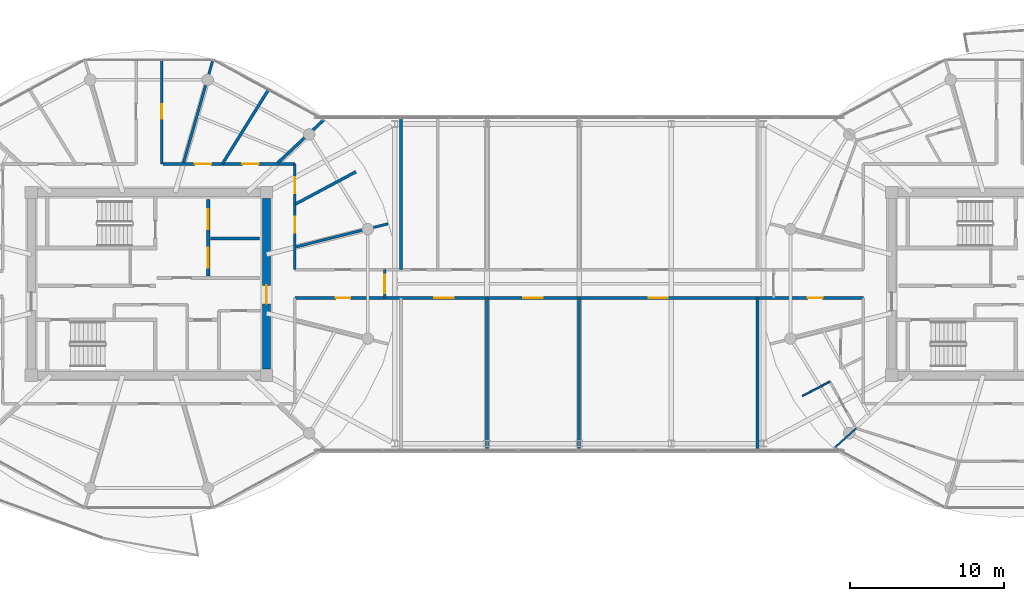
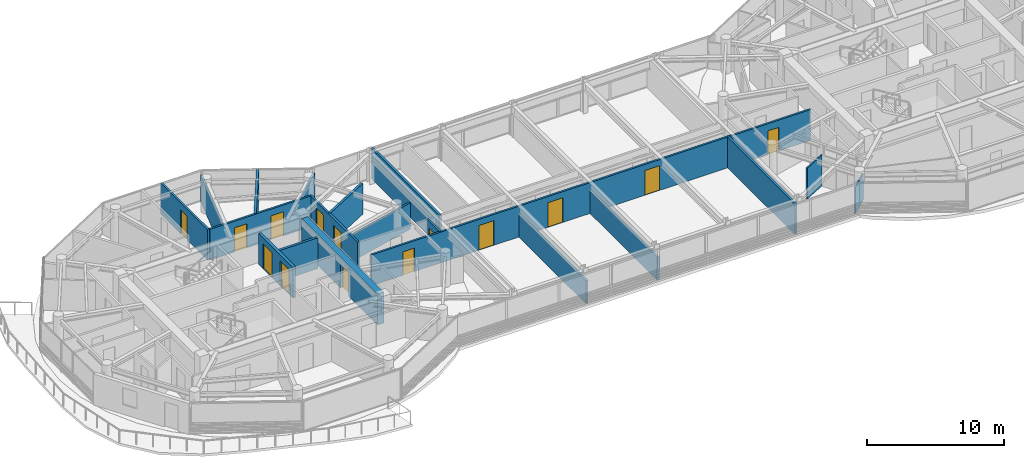
# One storey, part 15 of 23: 19 walls, 14 doors, 14 openings.
"""IFC4 building model written with IfcOpenShell, lengths in metres."""

from ifc_helpers import new_model, si_unit, direction, frame, frame_2d, origin, place, context, subcontext, project, spatial, rectangle, extrude, source, transform, mapped, material, layer, layer_set, type_object, type_shapes, element, fill, save


model = new_model("IFC4")

# Units and contexts
model_context = context("Model", 3, precision=1e-05, world=origin(), true_north=direction((0.0, 1.0)))
body_context = subcontext(model_context, "Body", "Model", "MODEL_VIEW")
ifc_project = project(units=[si_unit("LENGTHUNIT", "METRE"), si_unit("AREAUNIT", "SQUARE_METRE"), si_unit("VOLUMEUNIT", "CUBIC_METRE"), si_unit("PLANEANGLEUNIT", "RADIAN"), si_unit("MASSUNIT", "GRAM", prefix="KILO")], contexts=[model_context])

# Site, building, storey
site_placement = place(None, origin())
site = spatial("IfcSite", under=ifc_project, at=site_placement, CompositionType="ELEMENT")
building_placement = place(site_placement, origin())
building = spatial("IfcBuilding", under=site, at=building_placement, Name="Norrkilde Senior Care Towers", CompositionType="ELEMENT")
storey_placement = place(building_placement, frame((0.0, 0.0, 216.949951171875)))
storey = spatial("IfcBuildingStorey", under=building, at=storey_placement, Name="L67", CompositionType="ELEMENT", Elevation=216.949951171875)

# Wall, opening, door
ifc_material_1 = material(Name="Concrete C50/60", Category="concrete")
ifc_layer_1 = layer(ifc_material_1, 0.52001953125)
ifc_layer_set_1 = layer_set([ifc_layer_1], Name="Concrete C50/60")
wall_type_1 = type_object("IfcWallType", Name="Core Shear Wall Z4 520", PredefinedType="SHEAR", material=ifc_layer_set_1)
shared_shape_1 = source(origin(), body_context, "Body", "SweptSolid", [
    extrude(rectangle(XDim=11.10009765625, YDim=0.52001953125, at=frame_2d((5.550048828125, 0.0))), origin(), (0.0, 0.0, 1.0), 2.760009765625),
])
type_shapes(wall_type_1, [shared_shape_1])
wall_1_placement = place(storey_placement, frame((-20.35009765625, 5.550048828125, 0.0), z_axis=(0.0, 0.0, 1.0), x_axis=(0.0, -1.0, 0.0)))
wall_1 = element("IfcWall", 1, at=wall_1_placement, inside=storey, type_object=wall_type_1, Name="L67 Core W East Shear Wall", PredefinedType="SHEAR", context=body_context, shape_type="MappedRepresentation", body=[
    mapped(shared_shape_1, transform((0.0, 0.0, 0.0), x_axis=(1.0, 0.0, 0.0), y_axis=(0.0, 1.0, 0.0), z_axis=(0.0, 0.0, 1.0), scale=1.0)),
])
opening_1_placement = place(wall_1_placement, frame((5.64990234375, 0.0, 0.0)))
opening_1 = element("IfcOpeningElement", 2, at=opening_1_placement, cuts=wall_1, Name="Opening D-04", PredefinedType="OPENING", context=body_context, shape_type="SweptSolid", body=[
    extrude(rectangle(XDim=1.199951171875, YDim=2.14990234375, at=frame_2d((0.60009765625, 1.074951171875))), frame((0.0, 0.27001953125, 0.0), z_axis=(0.0, -1.0, 0.0), x_axis=(1.0, 0.0, 0.0)), (0.0, 0.0, 1.0), 0.5400390625),
])
ifc_material_2 = material(Name="Galvanised Painted Steel", Category="steel")
door_type_1 = type_object("IfcDoorType", Name="Firefighting Lobby Fire Door 1200x2150", OperationType="NOTDEFINED", PredefinedType="DOOR", material=ifc_material_2)
shared_shape_2 = source(origin(), body_context, "Body", "SweptSolid", [
    extrude(rectangle(XDim=1.199951171875, YDim=2.14990234375, at=frame_2d((0.60009765625, 1.074951171875))), frame((0.0, 0.02490234375, 0.0), z_axis=(0.0, -1.0, 0.0), x_axis=(1.0, 0.0, 0.0)), (0.0, 0.0, 1.0), 0.050048828125),
])
type_shapes(door_type_1, [shared_shape_2])
door_1_placement = place(opening_1_placement, frame((1.199951171875, 0.0, 0.0), z_axis=(0.0, 0.0, 1.0), x_axis=(-1.0, 0.0, 0.0)))
door_1 = element("IfcDoor", 3, at=door_1_placement, inside=storey, type_object=door_type_1, Name="L67 Core W East Portal Door", OperationType="SINGLE_SWING_RIGHT", OverallHeight=2.14990234375, OverallWidth=1.199951171875, PredefinedType="DOOR", context=body_context, shape_type="MappedRepresentation", body=[
    mapped(shared_shape_2, transform((0.0, 0.0, 0.0), x_axis=(1.0, 0.0, 0.0), y_axis=(0.0, 1.0, 0.0), z_axis=(0.0, 0.0, 1.0), scale=1.0)),
])
fill(opening_1, door_1)

# Wall, openings, doors
ifc_material_3 = material(Name="Concrete C45/55", Category="concrete")
ifc_layer_2 = layer(ifc_material_3, 0.239990234375)
ifc_layer_set_2 = layer_set([ifc_layer_2], Name="Concrete C45/55")
wall_type_2 = type_object("IfcWallType", Name="Lift and Plant Rated Enclosure Partition 240", PredefinedType="PARTITIONING", material=ifc_layer_set_2)
shared_shape_3 = source(origin(), body_context, "Body", "SweptSolid", [
    extrude(rectangle(XDim=5.0, YDim=0.239990234375, at=frame_2d((2.5, 0.0))), origin(), (0.0, 0.0, 1.0), 2.7451171875),
])
type_shapes(wall_type_2, [shared_shape_3])
wall_2_placement = place(storey_placement, frame((-24.139892578125, 0.5, 0.0), z_axis=(0.0, 0.0, 1.0), x_axis=(0.0, 1.0, 0.0)))
wall_2 = element("IfcWall", 4, at=wall_2_placement, inside=storey, type_object=wall_type_2, Name="WL-INT-L67-W-FFLE", PredefinedType="PARTITIONING", context=body_context, shape_type="MappedRepresentation", body=[
    mapped(shared_shape_3, transform((0.0, 0.0, 0.0), x_axis=(1.0, 0.0, 0.0), y_axis=(0.0, 1.0, 0.0), z_axis=(0.0, 0.0, 1.0), scale=1.0)),
])
opening_2_placement = place(wall_2_placement, frame((3.050048828125, 0.0, 0.0)))
opening_2 = element("IfcOpeningElement", 5, at=opening_2_placement, cuts=wall_2, Name="Opening LD-02", PredefinedType="OPENING", context=body_context, shape_type="SweptSolid", body=[
    extrude(rectangle(XDim=1.300048828125, YDim=2.199951171875, at=frame_2d((0.64990234375, 1.10009765625))), frame((0.0, 0.1298828125, 0.0), z_axis=(0.0, -1.0, 0.0), x_axis=(1.0, 0.0, 0.0)), (0.0, 0.0, 1.0), 0.260009765625),
])
opening_3_placement = place(wall_2_placement, frame((0.550048828125, 0.0, 0.0)))
opening_3 = element("IfcOpeningElement", 6, at=opening_3_placement, cuts=wall_2, Name="Opening LD-02", PredefinedType="OPENING", context=body_context, shape_type="SweptSolid", body=[
    extrude(rectangle(XDim=1.300048828125, YDim=2.199951171875, at=frame_2d((0.64990234375, 1.10009765625))), frame((0.0, 0.1298828125, 0.0), z_axis=(0.0, -1.0, 0.0), x_axis=(1.0, 0.0, 0.0)), (0.0, 0.0, 1.0), 0.260009765625),
])
ifc_material_4 = material(Name="Stainless Steel", Category="steel")
door_type_2 = type_object("IfcDoorType", Name="Stretcher and FFL Landing Sliding Door 1300x2200", OperationType="NOTDEFINED", PredefinedType="DOOR", material=ifc_material_4)
shared_shape_4 = source(origin(), body_context, "Body", "SweptSolid", [
    extrude(rectangle(XDim=1.300048828125, YDim=2.199951171875, at=frame_2d((0.64990234375, 1.10009765625))), frame((0.0, 0.02490234375, 0.0), z_axis=(0.0, -1.0, 0.0), x_axis=(1.0, 0.0, 0.0)), (0.0, 0.0, 1.0), 0.050048828125),
])
type_shapes(door_type_2, [shared_shape_4])
door_2_placement = place(opening_2_placement, origin())
door_2 = element("IfcDoor", 7, at=door_2_placement, inside=storey, type_object=door_type_2, Name="L67 Firefighting Lift W1 Landing Door", OperationType="SLIDING_TO_LEFT", OverallHeight=2.199951171875, OverallWidth=1.300048828125, PredefinedType="DOOR", context=body_context, shape_type="MappedRepresentation", body=[
    mapped(shared_shape_4, transform((0.0, 0.0, 0.0), x_axis=(1.0, 0.0, 0.0), y_axis=(0.0, 1.0, 0.0), z_axis=(0.0, 0.0, 1.0), scale=1.0)),
])
fill(opening_2, door_2)
door_3_placement = place(opening_3_placement, origin())
door_3 = element("IfcDoor", 8, at=door_3_placement, inside=storey, type_object=door_type_2, Name="L67 Stretcher Lift W1 Landing Door", OperationType="SLIDING_TO_RIGHT", OverallHeight=2.199951171875, OverallWidth=1.300048828125, PredefinedType="DOOR", context=body_context, shape_type="MappedRepresentation", body=[
    mapped(shared_shape_4, transform((0.0, 0.0, 0.0), x_axis=(1.0, 0.0, 0.0), y_axis=(0.0, 1.0, 0.0), z_axis=(0.0, 0.0, 1.0), scale=1.0)),
])
fill(opening_3, door_3)

# Wall
ifc_layer_3 = layer(ifc_material_3, 0.199951171875)
ifc_layer_set_3 = layer_set([ifc_layer_3], Name="Concrete C45/55")
wall_type_3 = type_object("IfcWallType", Name="Shaft Division and Plant Partition 200", PredefinedType="PARTITIONING", material=ifc_layer_set_3)
shared_shape_5 = source(origin(), body_context, "Body", "SweptSolid", [
    extrude(rectangle(XDim=3.199951171875, YDim=0.199951171875, at=frame_2d((1.60009765625, 0.0))), origin(), (0.0, 0.0, 1.0), 2.7451171875),
])
type_shapes(wall_type_3, [shared_shape_5])
wall_3_placement = place(storey_placement, frame((-24.0, 2.949951171875, 0.0), z_axis=(0.0, 0.0, 1.0), x_axis=(1.0, 0.0, 0.0)))
element("IfcWall", 9, at=wall_3_placement, inside=storey, type_object=wall_type_3, Name="WL-INT-L67-W-FFLDIV", PredefinedType="PARTITIONING", context=body_context, shape_type="MappedRepresentation", body=[
    mapped(shared_shape_5, transform((0.0, 0.0, 0.0), x_axis=(1.0, 0.0, 0.0), y_axis=(0.0, 1.0, 0.0), z_axis=(0.0, 0.0, 1.0), scale=1.0)),
])

# Wall, openings, doors
ifc_material_5 = material(Name="Gypsum Acoustic Board")
ifc_layer_4 = layer(ifc_material_5, 0.1650390625)
ifc_layer_set_4 = layer_set([ifc_layer_4], Name="Gypsum Acoustic Board")
wall_type_4 = type_object("IfcWallType", Name="Corridor Rated Partition 165", PredefinedType="PARTITIONING", material=ifc_layer_set_4)
shared_shape_6 = source(origin(), body_context, "Body", "SweptSolid", [
    extrude(rectangle(XDim=8.580078125, YDim=0.1650390625, at=frame_2d((4.2900390625, 0.0))), origin(), (0.0, 0.0, 1.0), 2.7451171875),
])
wall_4_placement = place(storey_placement, frame((-27.080078125, 7.800048828125, 0.0), z_axis=(0.0, 0.0, 1.0), x_axis=(1.0, 0.0, 0.0)))
wall_4 = element("IfcWall", 10, at=wall_4_placement, inside=storey, type_object=wall_type_4, Name="WL-INT-L67-W-CRW-N-1", PredefinedType="PARTITIONING", context=body_context, shape_type="MappedRepresentation", body=[
    mapped(shared_shape_6, transform((0.0, 0.0, 0.0), x_axis=(1.0, 0.0, 0.0), y_axis=(0.0, 1.0, 0.0), z_axis=(0.0, 0.0, 1.0), scale=1.0)),
])
opening_4_placement = place(wall_4_placement, frame((5.166259765625, 0.0, 0.0)))
opening_4 = element("IfcOpeningElement", 11, at=opening_4_placement, cuts=wall_4, Name="Opening D-06", PredefinedType="OPENING", context=body_context, shape_type="SweptSolid", body=[
    extrude(rectangle(XDim=1.050048828125, YDim=2.14990234375, at=frame_2d((0.52490234375, 1.074951171875))), frame((0.0, 0.092529296875, 0.0), z_axis=(0.0, -1.0, 0.0), x_axis=(1.0, 0.0, 0.0)), (0.0, 0.0, 1.0), 0.18505859375),
])
opening_5_placement = place(wall_4_placement, frame((2.076416015625, 0.0, 0.0)))
opening_5 = element("IfcOpeningElement", 12, at=opening_5_placement, cuts=wall_4, Name="Opening D-06", PredefinedType="OPENING", context=body_context, shape_type="SweptSolid", body=[
    extrude(rectangle(XDim=1.050048828125, YDim=2.14990234375, at=frame_2d((0.52490234375, 1.074951171875))), frame((0.0, 0.092529296875, 0.0), z_axis=(0.0, -1.0, 0.0), x_axis=(1.0, 0.0, 0.0)), (0.0, 0.0, 1.0), 0.18505859375),
])
ifc_material_6 = material(Name="Nordic Ash Timber", Category="wood")
door_type_3 = type_object("IfcDoorType", Name="Apartment Entrance Fire Door 1050x2150", OperationType="NOTDEFINED", PredefinedType="DOOR", material=ifc_material_6)
shared_shape_7 = source(origin(), body_context, "Body", "SweptSolid", [
    extrude(rectangle(XDim=1.050048828125, YDim=2.14990234375, at=frame_2d((0.52490234375, 1.074951171875))), frame((0.0, 0.02490234375, 0.0), z_axis=(0.0, -1.0, 0.0), x_axis=(1.0, 0.0, 0.0)), (0.0, 0.0, 1.0), 0.050048828125),
])
type_shapes(door_type_3, [shared_shape_7])
door_4_placement = place(opening_4_placement, frame((1.050048828125, 0.0, 0.0), z_axis=(0.0, 0.0, 1.0), x_axis=(-1.0, 0.0, 0.0)))
door_4 = element("IfcDoor", 13, at=door_4_placement, inside=storey, type_object=door_type_3, Name="L67 Physiotherapy Clinic 1A Door", OperationType="SINGLE_SWING_RIGHT", OverallHeight=2.14990234375, OverallWidth=1.050048828125, PredefinedType="DOOR", context=body_context, shape_type="MappedRepresentation", body=[
    mapped(shared_shape_7, transform((0.0, 0.0, 0.0), x_axis=(1.0, 0.0, 0.0), y_axis=(0.0, 1.0, 0.0), z_axis=(0.0, 0.0, 1.0), scale=1.0)),
])
fill(opening_4, door_4)
door_5_placement = place(opening_5_placement, frame((1.050048828125, 0.0, 0.0), z_axis=(0.0, 0.0, 1.0), x_axis=(-1.0, 0.0, 0.0)))
door_5 = element("IfcDoor", 14, at=door_5_placement, inside=storey, type_object=door_type_3, Name="L67 Assessment Clinic 1B Door", OperationType="SINGLE_SWING_LEFT", OverallHeight=2.14990234375, OverallWidth=1.050048828125, PredefinedType="DOOR", context=body_context, shape_type="MappedRepresentation", body=[
    mapped(shared_shape_7, transform((0.0, 0.0, 0.0), x_axis=(1.0, 0.0, 0.0), y_axis=(0.0, 1.0, 0.0), z_axis=(0.0, 0.0, 1.0), scale=1.0)),
])
fill(opening_5, door_5)

shared_shape_8 = source(origin(), body_context, "Body", "SweptSolid", [
    extrude(rectangle(XDim=6.880126953125, YDim=0.1650390625, at=frame_2d((3.43994140625, 0.0))), origin(), (0.0, 0.0, 1.0), 2.7451171875),
])
wall_5_placement = place(storey_placement, frame((-18.5, 7.800048828125, 0.0), z_axis=(0.0, 0.0, 1.0), x_axis=(0.0, -1.0, 0.0)))
wall_5 = element("IfcWall", 15, at=wall_5_placement, inside=storey, type_object=wall_type_4, Name="WL-INT-L67-W-CRW-E-0", PredefinedType="PARTITIONING", context=body_context, shape_type="MappedRepresentation", body=[
    mapped(shared_shape_8, transform((0.0, 0.0, 0.0), x_axis=(1.0, 0.0, 0.0), y_axis=(0.0, 1.0, 0.0), z_axis=(0.0, 0.0, 1.0), scale=1.0)),
])
opening_6_placement = place(wall_5_placement, frame((3.4208984375, 0.0, 0.0)))
opening_6 = element("IfcOpeningElement", 16, at=opening_6_placement, cuts=wall_5, Name="Opening D-06", PredefinedType="OPENING", context=body_context, shape_type="SweptSolid", body=[
    extrude(rectangle(XDim=1.050048828125, YDim=2.14990234375, at=frame_2d((0.52490234375, 1.074951171875))), frame((0.0, 0.092529296875, 0.0), z_axis=(0.0, -1.0, 0.0), x_axis=(1.0, 0.0, 0.0)), (0.0, 0.0, 1.0), 0.18505859375),
])
opening_7_placement = place(wall_5_placement, frame((0.856201171875, 0.0, 0.0)))
opening_7 = element("IfcOpeningElement", 17, at=opening_7_placement, cuts=wall_5, Name="Opening D-06", PredefinedType="OPENING", context=body_context, shape_type="SweptSolid", body=[
    extrude(rectangle(XDim=1.050048828125, YDim=2.14990234375, at=frame_2d((0.52490234375, 1.074951171875))), frame((0.0, 0.092529296875, 0.0), z_axis=(0.0, -1.0, 0.0), x_axis=(1.0, 0.0, 0.0)), (0.0, 0.0, 1.0), 0.18505859375),
])
door_6_placement = place(opening_6_placement, frame((1.050048828125, 0.0, 0.0), z_axis=(0.0, 0.0, 1.0), x_axis=(-1.0, 0.0, 0.0)))
door_6 = element("IfcDoor", 18, at=door_6_placement, inside=storey, type_object=door_type_3, Name="L67 Physiotherapy Clinic 0A Door", OperationType="SINGLE_SWING_LEFT", OverallHeight=2.14990234375, OverallWidth=1.050048828125, PredefinedType="DOOR", context=body_context, shape_type="MappedRepresentation", body=[
    mapped(shared_shape_7, transform((0.0, 0.0, 0.0), x_axis=(1.0, 0.0, 0.0), y_axis=(0.0, 1.0, 0.0), z_axis=(0.0, 0.0, 1.0), scale=1.0)),
])
fill(opening_6, door_6)
door_7_placement = place(opening_7_placement, frame((1.050048828125, 0.0, 0.0), z_axis=(0.0, 0.0, 1.0), x_axis=(-1.0, 0.0, 0.0)))
door_7 = element("IfcDoor", 19, at=door_7_placement, inside=storey, type_object=door_type_3, Name="L67 Assessment Clinic 0B Door", OperationType="SINGLE_SWING_RIGHT", OverallHeight=2.14990234375, OverallWidth=1.050048828125, PredefinedType="DOOR", context=body_context, shape_type="MappedRepresentation", body=[
    mapped(shared_shape_7, transform((0.0, 0.0, 0.0), x_axis=(1.0, 0.0, 0.0), y_axis=(0.0, 1.0, 0.0), z_axis=(0.0, 0.0, 1.0), scale=1.0)),
])
fill(opening_7, door_7)

# Walls
shared_shape_9 = source(origin(), body_context, "Body", "SweptSolid", [
    extrude(rectangle(XDim=6.973876953125, YDim=0.1650390625, at=frame_2d((3.48681640625, 0.0))), origin(), (0.0, 0.0, 1.0), 2.344970703125),
])
wall_6_placement = place(storey_placement, frame((-25.748779296875, 7.8798828125, 0.0), z_axis=(0.0, 0.0, 1.0), x_axis=(0.274707256801, 0.961527910703, 0.0)))
element("IfcWall", 20, at=wall_6_placement, inside=storey, type_object=wall_type_4, Name="WL-INT-L67-W-DEM-02-0", PredefinedType="PARTITIONING", context=body_context, shape_type="MappedRepresentation", body=[
    mapped(shared_shape_9, transform((0.0, 0.0, 0.0), x_axis=(1.0, 0.0, 0.0), y_axis=(0.0, 1.0, 0.0), z_axis=(0.0, 0.0, 1.0), scale=1.0)),
])
shared_shape_10 = source(origin(), body_context, "Body", "SweptSolid", [
    extrude(rectangle(XDim=6.1572265625, YDim=0.1650390625, at=frame_2d((3.07861328125, 0.0))), origin(), (0.0, 0.0, 1.0), 2.344970703125),
])
wall_7_placement = place(storey_placement, frame((-18.419921875, 2.407470703125, 0.0), z_axis=(0.0, 0.0, 1.0), x_axis=(0.969840867184, 0.243738984038, 0.0)))
element("IfcWall", 21, at=wall_7_placement, inside=storey, type_object=wall_type_4, Name="WL-INT-L67-W-DEM-00-0", PredefinedType="PARTITIONING", context=body_context, shape_type="MappedRepresentation", body=[
    mapped(shared_shape_10, transform((0.0, 0.0, 0.0), x_axis=(1.0, 0.0, 0.0), y_axis=(0.0, 1.0, 0.0), z_axis=(0.0, 0.0, 1.0), scale=1.0)),
])

# Wall, opening, door
shared_shape_11 = source(origin(), body_context, "Body", "SweptSolid", [
    extrude(rectangle(XDim=6.83544921875, YDim=0.1650390625, at=frame_2d((3.417724609375, 0.0))), origin(), (0.0, 0.0, 1.0), 2.7451171875),
])
wall_8_placement = place(storey_placement, frame((-27.159912109375, 14.635498046875, 0.0), z_axis=(0.0, 0.0, 1.0), x_axis=(0.0, -1.0, 0.0)))
wall_8 = element("IfcWall", 22, at=wall_8_placement, inside=storey, type_object=wall_type_4, Name="WL-INT-L67-W-SPK-N2-0", PredefinedType="PARTITIONING", context=body_context, shape_type="MappedRepresentation", body=[
    mapped(shared_shape_11, transform((0.0, 0.0, 0.0), x_axis=(1.0, 0.0, 0.0), y_axis=(0.0, 1.0, 0.0), z_axis=(0.0, 0.0, 1.0), scale=1.0)),
])
opening_8_placement = place(wall_8_placement, frame((2.942626953125, 0.0, 0.0)))
opening_8 = element("IfcOpeningElement", 23, at=opening_8_placement, cuts=wall_8, Name="Opening D-07", PredefinedType="OPENING", context=body_context, shape_type="SweptSolid", body=[
    extrude(rectangle(XDim=0.949951171875, YDim=2.10009765625, at=frame_2d((0.47509765625, 1.050048828125))), frame((0.0, 0.092529296875, 0.0), z_axis=(0.0, -1.0, 0.0), x_axis=(1.0, 0.0, 0.0)), (0.0, 0.0, 1.0), 0.18505859375),
])
door_type_4 = type_object("IfcDoorType", Name="Internal Suite Bedroom Door 950x2100", OperationType="NOTDEFINED", PredefinedType="DOOR", material=ifc_material_6)
shared_shape_12 = source(origin(), body_context, "Body", "SweptSolid", [
    extrude(rectangle(XDim=0.949951171875, YDim=2.10009765625, at=frame_2d((0.47509765625, 1.050048828125))), frame((0.0, 0.02490234375, 0.0), z_axis=(0.0, -1.0, 0.0), x_axis=(1.0, 0.0, 0.0)), (0.0, 0.0, 1.0), 0.050048828125),
])
type_shapes(door_type_4, [shared_shape_12])
door_8_placement = place(opening_8_placement, frame((0.949951171875, 0.0, 0.0), z_axis=(0.0, 0.0, 1.0), x_axis=(-1.0, 0.0, 0.0)))
door_8 = element("IfcDoor", 24, at=door_8_placement, inside=storey, type_object=door_type_4, Name="L67 Sun Reading Lounge 4 Door", OperationType="SINGLE_SWING_LEFT", OverallHeight=2.10009765625, OverallWidth=0.949951171875, PredefinedType="DOOR", context=body_context, shape_type="MappedRepresentation", body=[
    mapped(shared_shape_12, transform((0.0, 0.0, 0.0), x_axis=(1.0, 0.0, 0.0), y_axis=(0.0, 1.0, 0.0), z_axis=(0.0, 0.0, 1.0), scale=1.0)),
])
fill(opening_8, door_8)

# Walls
ifc_layer_5 = layer(ifc_material_5, 0.18994140625)
ifc_layer_set_5 = layer_set([ifc_layer_5], Name="Gypsum Acoustic Board")
wall_type_5 = type_object("IfcWallType", Name="Unit Demising Acoustic Wall 190", PredefinedType="PARTITIONING", material=ifc_layer_set_5)
shared_shape_13 = source(origin(), body_context, "Body", "SweptSolid", [
    extrude(rectangle(XDim=4.089111328125, YDim=0.18994140625, at=frame_2d((2.04443359375, 0.0))), origin(), (0.0, 0.0, 1.0), 2.344970703125),
])
wall_9_placement = place(storey_placement, frame((-19.59814453125, 7.8798828125, 0.0), z_axis=(0.0, 0.0, 1.0), x_axis=(0.729401273609, 0.684086092577, 0.0)))
element("IfcWall", 25, at=wall_9_placement, inside=storey, type_object=wall_type_5, Name="WL-INT-L67-W-DEM-01-0", PredefinedType="PARTITIONING", context=body_context, shape_type="MappedRepresentation", body=[
    mapped(shared_shape_13, transform((0.0, 0.0, 0.0), x_axis=(1.0, 0.0, 0.0), y_axis=(0.0, 1.0, 0.0), z_axis=(0.0, 0.0, 1.0), scale=1.0)),
])
shared_shape_14 = source(origin(), body_context, "Body", "SweptSolid", [
    extrude(rectangle(XDim=5.65185546875, YDim=0.18994140625, at=frame_2d((2.825927734375, 0.0))), origin(), (0.0, 0.0, 1.0), 2.7451171875),
])
wall_10_placement = place(storey_placement, frame((-23.2060546875, 7.830078125, 0.0), z_axis=(0.0, 0.0, 1.0), x_axis=(0.527566076956, 0.84951399897, 0.0)))
element("IfcWall", 26, at=wall_10_placement, inside=storey, type_object=wall_type_5, Name="WL-INT-L67-W-MID-01", PredefinedType="PARTITIONING", context=body_context, shape_type="MappedRepresentation", body=[
    mapped(shared_shape_14, transform((0.0, 0.0, 0.0), x_axis=(1.0, 0.0, 0.0), y_axis=(0.0, 1.0, 0.0), z_axis=(0.0, 0.0, 1.0), scale=1.0)),
])

# Wall, opening, door
shared_shape_15 = source(origin(), body_context, "Body", "SweptSolid", [
    extrude(rectangle(XDim=1.83984375, YDim=0.1650390625, at=frame_2d((0.919921875, 0.0))), origin(), (0.0, 0.0, 1.0), 2.7451171875),
])
wall_11_placement = place(storey_placement, frame((-12.64990234375, -0.919921875, 0.0), z_axis=(0.0, 0.0, 1.0), x_axis=(0.0, 1.0, 0.0)))
wall_11 = element("IfcWall", 27, at=wall_11_placement, inside=storey, type_object=wall_type_4, Name="WL-INT-L67-BR-GW", PredefinedType="PARTITIONING", context=body_context, shape_type="MappedRepresentation", body=[
    mapped(shared_shape_15, transform((0.0, 0.0, 0.0), x_axis=(1.0, 0.0, 0.0), y_axis=(0.0, 1.0, 0.0), z_axis=(0.0, 0.0, 1.0), scale=1.0)),
])
opening_9_placement = place(wall_11_placement, frame((0.320068359375, 0.0, 0.0)))
opening_9 = element("IfcOpeningElement", 28, at=opening_9_placement, cuts=wall_11, Name="Opening D-04", PredefinedType="OPENING", context=body_context, shape_type="SweptSolid", body=[
    extrude(rectangle(XDim=1.199951171875, YDim=2.14990234375, at=frame_2d((0.60009765625, 1.074951171875))), frame((0.0, 0.092529296875, 0.0), z_axis=(0.0, -1.0, 0.0), x_axis=(1.0, 0.0, 0.0)), (0.0, 0.0, 1.0), 0.18505859375),
])
door_9_placement = place(opening_9_placement, frame((1.199951171875, 0.0, 0.0), z_axis=(0.0, 0.0, 1.0), x_axis=(-1.0, 0.0, 0.0)))
door_9 = element("IfcDoor", 29, at=door_9_placement, inside=storey, type_object=door_type_1, Name="L67 Sky-Gate Bridge GW Fire Door", OperationType="SINGLE_SWING_LEFT", OverallHeight=2.14990234375, OverallWidth=1.199951171875, PredefinedType="DOOR", context=body_context, shape_type="MappedRepresentation", body=[
    mapped(shared_shape_2, transform((0.0, 0.0, 0.0), x_axis=(1.0, 0.0, 0.0), y_axis=(0.0, 1.0, 0.0), z_axis=(0.0, 0.0, 1.0), scale=1.0)),
])
fill(opening_9, door_9)

# Wall, openings, doors
shared_shape_16 = source(origin(), body_context, "Body", "SweptSolid", [
    extrude(rectangle(XDim=37.0, YDim=0.1650390625, at=frame_2d((18.5, 0.0))), origin(), (0.0, 0.0, 1.0), 2.7451171875),
])
type_shapes(wall_type_4, [shared_shape_6, shared_shape_8, shared_shape_9, shared_shape_10, shared_shape_11, shared_shape_15, shared_shape_16])
wall_12_placement = place(storey_placement, frame((-18.5, -0.919921875, 0.0), z_axis=(0.0, 0.0, 1.0), x_axis=(1.0, 0.0, 0.0)))
wall_12 = element("IfcWall", 30, at=wall_12_placement, inside=storey, type_object=wall_type_4, Name="WL-INT-L67-BR-CS", PredefinedType="PARTITIONING", context=body_context, shape_type="MappedRepresentation", body=[
    mapped(shared_shape_16, transform((0.0, 0.0, 0.0), x_axis=(1.0, 0.0, 0.0), y_axis=(0.0, 1.0, 0.0), z_axis=(0.0, 0.0, 1.0), scale=1.0)),
])
opening_10_placement = place(wall_12_placement, frame((2.66162109375, 0.0, 0.0)))
opening_10 = element("IfcOpeningElement", 31, at=opening_10_placement, cuts=wall_12, Name="Opening D-07", PredefinedType="OPENING", context=body_context, shape_type="SweptSolid", body=[
    extrude(rectangle(XDim=0.949951171875, YDim=2.10009765625, at=frame_2d((0.47509765625, 1.050048828125))), frame((0.0, 0.092529296875, 0.0), z_axis=(0.0, -1.0, 0.0), x_axis=(1.0, 0.0, 0.0)), (0.0, 0.0, 1.0), 0.18505859375),
])
opening_11_placement = place(wall_12_placement, frame((33.38818359375, 0.0, 0.0)))
opening_11 = element("IfcOpeningElement", 32, at=opening_11_placement, cuts=wall_12, Name="Opening D-07", PredefinedType="OPENING", context=body_context, shape_type="SweptSolid", body=[
    extrude(rectangle(XDim=0.949951171875, YDim=2.10009765625, at=frame_2d((0.47509765625, 1.050048828125))), frame((0.0, 0.092529296875, 0.0), z_axis=(0.0, -1.0, 0.0), x_axis=(1.0, 0.0, 0.0)), (0.0, 0.0, 1.0), 0.18505859375),
])
opening_12_placement = place(wall_12_placement, frame((9.074951171875, 0.0, 0.0)))
opening_12 = element("IfcOpeningElement", 33, at=opening_12_placement, cuts=wall_12, Name="Opening D-05", PredefinedType="OPENING", context=body_context, shape_type="SweptSolid", body=[
    extrude(rectangle(XDim=1.25, YDim=2.199951171875, at=frame_2d((0.625, 1.10009765625))), frame((0.0, 0.092529296875, 0.0), z_axis=(0.0, -1.0, 0.0), x_axis=(1.0, 0.0, 0.0)), (0.0, 0.0, 1.0), 0.18505859375),
])
opening_13_placement = place(wall_12_placement, frame((14.875, 0.0, 0.0)))
opening_13 = element("IfcOpeningElement", 34, at=opening_13_placement, cuts=wall_12, Name="Opening D-05", PredefinedType="OPENING", context=body_context, shape_type="SweptSolid", body=[
    extrude(rectangle(XDim=1.25, YDim=2.199951171875, at=frame_2d((0.625, 1.10009765625))), frame((0.0, 0.092529296875, 0.0), z_axis=(0.0, -1.0, 0.0), x_axis=(1.0, 0.0, 0.0)), (0.0, 0.0, 1.0), 0.18505859375),
])
opening_14_placement = place(wall_12_placement, frame((23.030029296875, 0.0, 0.0)))
opening_14 = element("IfcOpeningElement", 35, at=opening_14_placement, cuts=wall_12, Name="Opening D-05", PredefinedType="OPENING", context=body_context, shape_type="SweptSolid", body=[
    extrude(rectangle(XDim=1.25, YDim=2.199951171875, at=frame_2d((0.625, 1.10009765625))), frame((0.0, 0.092529296875, 0.0), z_axis=(0.0, -1.0, 0.0), x_axis=(1.0, 0.0, 0.0)), (0.0, 0.0, 1.0), 0.18505859375),
])
door_type_5 = type_object("IfcDoorType", Name="Care Bedroom Bariatric Door 1250x2200", OperationType="NOTDEFINED", PredefinedType="DOOR", material=ifc_material_6)
shared_shape_17 = source(origin(), body_context, "Body", "SweptSolid", [
    extrude(rectangle(XDim=1.25, YDim=2.199951171875, at=frame_2d((0.625, 1.10009765625))), frame((0.0, 0.02490234375, 0.0), z_axis=(0.0, -1.0, 0.0), x_axis=(1.0, 0.0, 0.0)), (0.0, 0.0, 1.0), 0.050048828125),
])
type_shapes(door_type_5, [shared_shape_17])
door_10_placement = place(opening_12_placement, origin())
door_10 = element("IfcDoor", 36, at=door_10_placement, inside=storey, type_object=door_type_5, Name="L67 Bridge South Room 1 Door", OperationType="SINGLE_SWING_LEFT", OverallHeight=2.199951171875, OverallWidth=1.25, PredefinedType="DOOR", context=body_context, shape_type="MappedRepresentation", body=[
    mapped(shared_shape_17, transform((0.0, 0.0, 0.0), x_axis=(1.0, 0.0, 0.0), y_axis=(0.0, 1.0, 0.0), z_axis=(0.0, 0.0, 1.0), scale=1.0)),
])
fill(opening_12, door_10)
door_11_placement = place(opening_13_placement, origin())
door_11 = element("IfcDoor", 37, at=door_11_placement, inside=storey, type_object=door_type_5, Name="L67 Bridge South Room 2 Door", OperationType="SINGLE_SWING_RIGHT", OverallHeight=2.199951171875, OverallWidth=1.25, PredefinedType="DOOR", context=body_context, shape_type="MappedRepresentation", body=[
    mapped(shared_shape_17, transform((0.0, 0.0, 0.0), x_axis=(1.0, 0.0, 0.0), y_axis=(0.0, 1.0, 0.0), z_axis=(0.0, 0.0, 1.0), scale=1.0)),
])
fill(opening_13, door_11)
door_12_placement = place(opening_14_placement, origin())
door_12 = element("IfcDoor", 38, at=door_12_placement, inside=storey, type_object=door_type_5, Name="L67 Bridge South Room 3 Door", OperationType="SINGLE_SWING_LEFT", OverallHeight=2.199951171875, OverallWidth=1.25, PredefinedType="DOOR", context=body_context, shape_type="MappedRepresentation", body=[
    mapped(shared_shape_17, transform((0.0, 0.0, 0.0), x_axis=(1.0, 0.0, 0.0), y_axis=(0.0, 1.0, 0.0), z_axis=(0.0, 0.0, 1.0), scale=1.0)),
])
fill(opening_14, door_12)
door_13_placement = place(opening_10_placement, frame((0.949951171875, 0.0, 0.0), z_axis=(0.0, 0.0, 1.0), x_axis=(-1.0, 0.0, 0.0)))
door_13 = element("IfcDoor", 39, at=door_13_placement, inside=storey, type_object=door_type_4, Name="L67 Sun Reading Lounge 5 Door", OperationType="SINGLE_SWING_RIGHT", OverallHeight=2.10009765625, OverallWidth=0.949951171875, PredefinedType="DOOR", context=body_context, shape_type="MappedRepresentation", body=[
    mapped(shared_shape_12, transform((0.0, 0.0, 0.0), x_axis=(1.0, 0.0, 0.0), y_axis=(0.0, 1.0, 0.0), z_axis=(0.0, 0.0, 1.0), scale=1.0)),
])
fill(opening_10, door_13)
door_14_placement = place(opening_11_placement, frame((0.949951171875, 0.0, 0.0), z_axis=(0.0, 0.0, 1.0), x_axis=(-1.0, 0.0, 0.0)))
door_14 = element("IfcDoor", 40, at=door_14_placement, inside=storey, type_object=door_type_4, Name="L67 Sun Reading Lounge 1 Door", OperationType="SINGLE_SWING_RIGHT", OverallHeight=2.10009765625, OverallWidth=0.949951171875, PredefinedType="DOOR", context=body_context, shape_type="MappedRepresentation", body=[
    mapped(shared_shape_12, transform((0.0, 0.0, 0.0), x_axis=(1.0, 0.0, 0.0), y_axis=(0.0, 1.0, 0.0), z_axis=(0.0, 0.0, 1.0), scale=1.0)),
])
fill(opening_11, door_14)

# Walls
shared_shape_18 = source(origin(), body_context, "Body", "SweptSolid", [
    extrude(rectangle(XDim=9.880126953125, YDim=0.18994140625, at=frame_2d((4.93994140625, 0.0))), origin(), (0.0, 0.0, 1.0), 2.7451171875),
])
for number, where, z_axis, x_axis, name in (
    (41, (-11.60009765625, 0.919921875, 0.0), (0.0, 0.0, 1.0), (0.0, 1.0, 0.0), "WL-INT-L67-BR-EN-12"),
    (42, (11.60009765625, -10.800048828125, 0.0), (0.0, 0.0, 1.0), (0.0, 1.0, 0.0), "WL-INT-L67-BR-ES+12"),
):
    element("IfcWall", number, at=place(storey_placement, frame(where, z_axis=z_axis, x_axis=x_axis)), inside=storey, type_object=wall_type_5, Name=name, PredefinedType="PARTITIONING", context=body_context, shape_type="MappedRepresentation", body=[
        mapped(shared_shape_18, transform((0.0, 0.0, 0.0), x_axis=(1.0, 0.0, 0.0), y_axis=(0.0, 1.0, 0.0), z_axis=(0.0, 0.0, 1.0), scale=1.0)),
    ])
shared_shape_19 = source(origin(), body_context, "Body", "SweptSolid", [
    extrude(rectangle(XDim=9.880126953125, YDim=0.18994140625, at=frame_2d((4.93994140625, 0.0))), origin(), (0.0, 0.0, 1.0), 2.045166015625),
])
for number, where, z_axis, x_axis, name in (
    (43, (-6.0, -10.800048828125, 0.0), (0.0, 0.0, 1.0), (0.0, 1.0, 0.0), "WL-INT-L67-BR-VS1"),
    (44, (0.0, -10.800048828125, 0.0), (0.0, 0.0, 1.0), (0.0, 1.0, 0.0), "WL-INT-L67-BR-VS2"),
):
    element("IfcWall", number, at=place(storey_placement, frame(where, z_axis=z_axis, x_axis=x_axis)), inside=storey, type_object=wall_type_5, Name=name, PredefinedType="PARTITIONING", context=body_context, shape_type="MappedRepresentation", body=[
        mapped(shared_shape_19, transform((0.0, 0.0, 0.0), x_axis=(1.0, 0.0, 0.0), y_axis=(0.0, 1.0, 0.0), z_axis=(0.0, 0.0, 1.0), scale=1.0)),
    ])
shared_shape_20 = source(origin(), body_context, "Body", "SweptSolid", [
    extrude(rectangle(XDim=4.46484375, YDim=0.18994140625, at=frame_2d((2.232421875, 0.0))), origin(), (0.0, 0.0, 1.0), 2.7451171875),
])
type_shapes(wall_type_5, [shared_shape_13, shared_shape_14, shared_shape_18, shared_shape_19, shared_shape_20])
wall_13_placement = place(storey_placement, frame((-18.469970703125, 5.1884765625, 0.0), z_axis=(0.0, 0.0, 1.0), x_axis=(0.881981829834, 0.471283409259, 0.0)))
element("IfcWall", 45, at=wall_13_placement, inside=storey, type_object=wall_type_5, Name="WL-INT-L67-W-MID-00", PredefinedType="PARTITIONING", context=body_context, shape_type="MappedRepresentation", body=[
    mapped(shared_shape_20, transform((0.0, 0.0, 0.0), x_axis=(1.0, 0.0, 0.0), y_axis=(0.0, 1.0, 0.0), z_axis=(0.0, 0.0, 1.0), scale=1.0)),
])
ifc_layer_6 = layer(ifc_material_5, 0.114990234375)
ifc_layer_set_6 = layer_set([ifc_layer_6], Name="Gypsum Acoustic Board")
wall_type_6 = type_object("IfcWallType", Name="Internal Room Partition 115", PredefinedType="PARTITIONING", material=ifc_layer_set_6)
shared_shape_21 = source(origin(), body_context, "Body", "SweptSolid", [
    extrude(rectangle(XDim=1.905029296875, YDim=0.114990234375, at=frame_2d((0.95263671875, 0.0))), origin(), (0.0, 0.0, 1.0), 2.344970703125),
])
wall_14_placement = place(storey_placement, frame((18.0302734375, -9.4013671875, 0.0), z_axis=(0.0, 0.0, 1.0), x_axis=(-0.742624708137, -0.669707804094, 0.0)))
element("IfcWall", 46, at=wall_14_placement, inside=storey, type_object=wall_type_6, Name="WL-INT-L67-E-UBR-06-1", PredefinedType="PARTITIONING", context=body_context, shape_type="MappedRepresentation", body=[
    mapped(shared_shape_21, transform((0.0, 0.0, 0.0), x_axis=(1.0, 0.0, 0.0), y_axis=(0.0, 1.0, 0.0), z_axis=(0.0, 0.0, 1.0), scale=1.0)),
])
shared_shape_22 = source(origin(), body_context, "Body", "SweptSolid", [
    extrude(rectangle(XDim=2.014892578125, YDim=0.114990234375, at=frame_2d((1.00732421875, 0.0))), origin(), (0.0, 0.0, 1.0), 2.7451171875),
])
type_shapes(wall_type_6, [shared_shape_21, shared_shape_22])
wall_15_placement = place(storey_placement, frame((16.318115234375, -6.360107421875, 0.0), z_axis=(0.0, 0.0, 1.0), x_axis=(-0.886437892009, -0.462847559797, 0.0)))
element("IfcWall", 47, at=wall_15_placement, inside=storey, type_object=wall_type_6, Name="WL-INT-L67-E-UKTS-06", PredefinedType="PARTITIONING", context=body_context, shape_type="MappedRepresentation", body=[
    mapped(shared_shape_22, transform((0.0, 0.0, 0.0), x_axis=(1.0, 0.0, 0.0), y_axis=(0.0, 1.0, 0.0), z_axis=(0.0, 0.0, 1.0), scale=1.0)),
])

save(model, "model.ifc")
